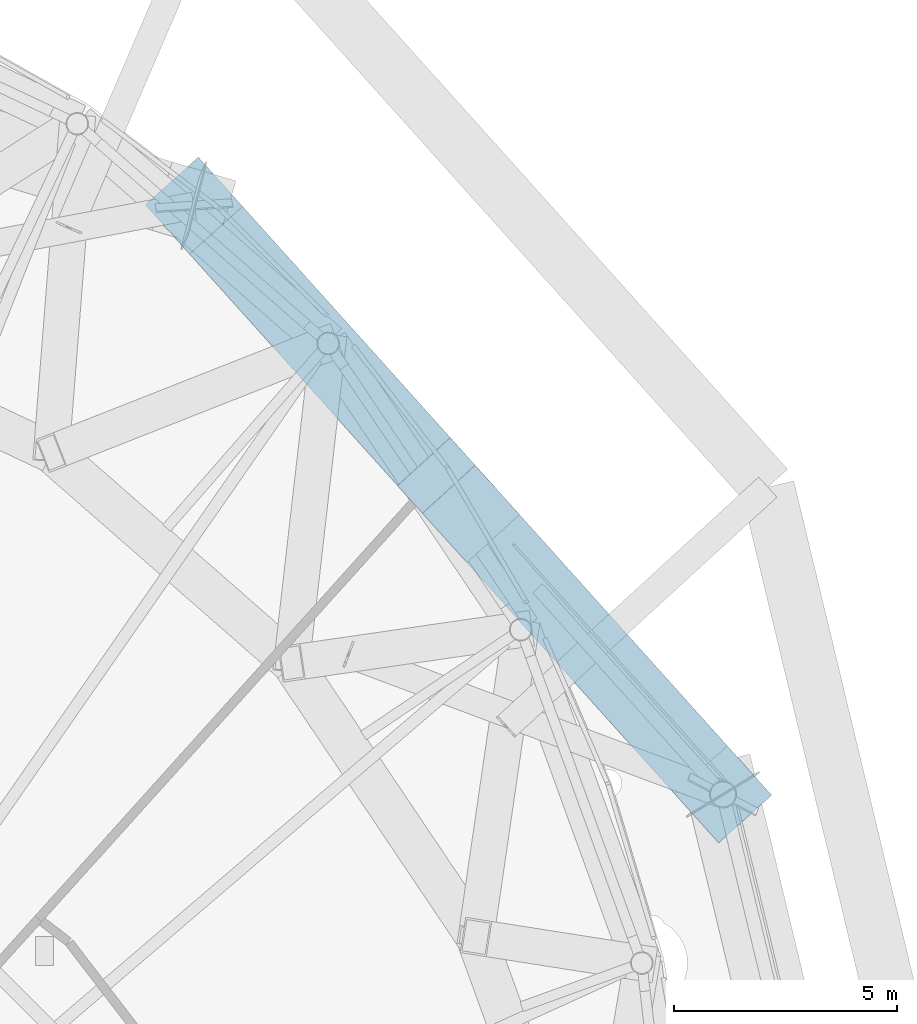
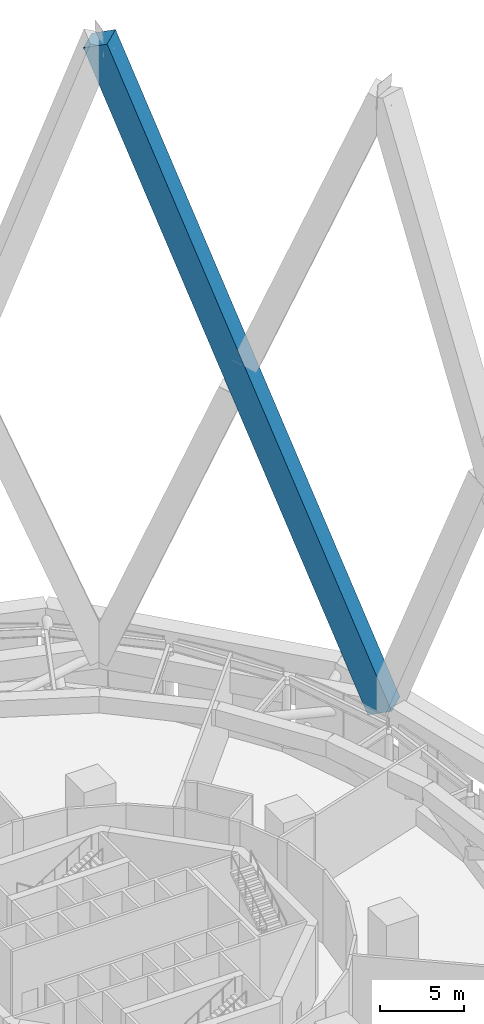
# One storey, part 35 of 65: 1 member.
"""IFC4 building model written with IfcOpenShell, lengths in metres."""

from ifc_helpers import new_model, si_unit, direction, frame, origin, origin_2d, place, context, subcontext, project, spatial, rectangle, extrude, material, material_profile, profile_set, type_object, element, save


model = new_model("IFC4")

# Units and contexts
model_context = context("Model", 3, precision=1e-05, world=origin(), true_north=direction((0.0, 1.0)))
body_context = subcontext(model_context, "Body", "Model", "MODEL_VIEW")
ifc_project = project(units=[si_unit("LENGTHUNIT", "METRE"), si_unit("AREAUNIT", "SQUARE_METRE"), si_unit("VOLUMEUNIT", "CUBIC_METRE"), si_unit("PLANEANGLEUNIT", "RADIAN"), si_unit("MASSUNIT", "GRAM", prefix="KILO")], contexts=[model_context])

# Site, building, storey
site_placement = place(None, origin())
site = spatial("IfcSite", under=ifc_project, at=site_placement, CompositionType="ELEMENT")
building_placement = place(site_placement, origin())
building = spatial("IfcBuilding", under=site, at=building_placement, Name="Nagisa Residences", CompositionType="ELEMENT")
storey_placement = place(building_placement, frame((0.0, 0.0, 114.0)))
storey = spatial("IfcBuildingStorey", under=building, at=storey_placement, Name="L28", CompositionType="ELEMENT", Elevation=114.0)

# Member
ifc_material = material(Name="Concrete C80", Category="concrete")
ifc_material_profile = material_profile(ifc_material, rectangle(XDim=1.60009765625, YDim=1.60009765625, at=origin_2d()), Name="C80 1600x1600")
ifc_profile_set = profile_set([ifc_material_profile], Name="Concrete C80")
member_type = type_object("IfcMemberType", Name="Cage diagonal 3 C80 1600x1600", PredefinedType="BRACE", material=ifc_profile_set)
member_placement = place(storey_placement, frame((26.28955078125, 14.9296875, 3.699951171875), z_axis=(-0.247778771196, 0.275742288024, 0.928747474365), x_axis=(-0.743816072087, -0.668384358663, 0.0)))
element("IfcMember", 1, at=member_placement, inside=storey, type_object=member_type, Name="mem:L28:cg3d003", PredefinedType="BRACE", context=body_context, shape_type="SweptSolid", body=[
    extrude(rectangle(XDim=1.60009765625, YDim=1.60009765625, at=origin_2d()), origin(), (0.0, 0.0, 1.0), 47.9140625),
])

save(model, "model.ifc")
